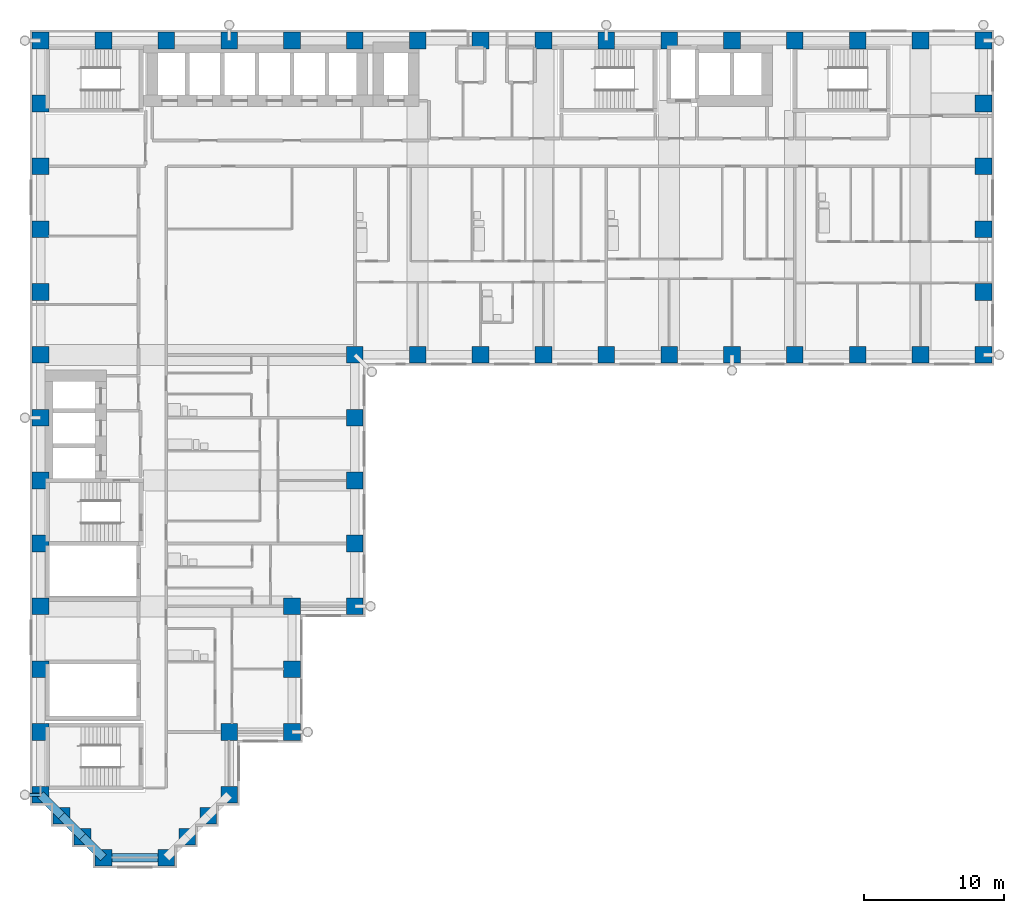
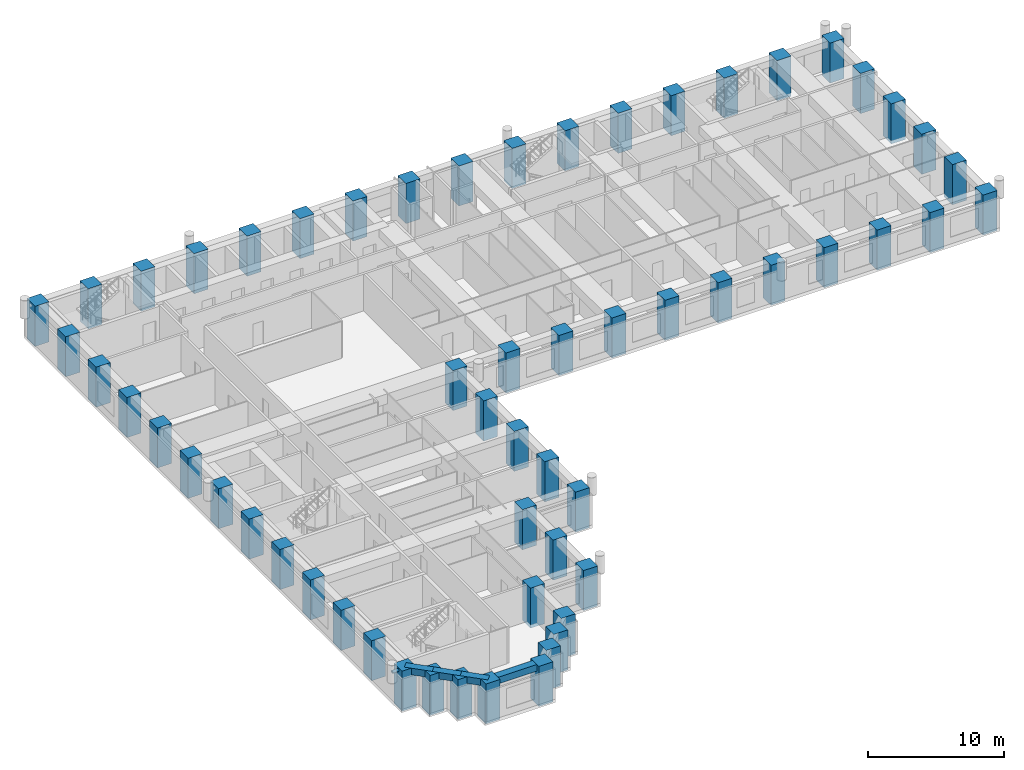
# One storey, part 1 of 14: 58 columns, 4 beams, 1 member.
"""IFC4 building model written with IfcOpenShell, lengths in metres."""

from ifc_helpers import new_model, si_unit, direction, frame, origin, origin_2d, place, context, subcontext, project, spatial, rectangle, hollow_circle, extrude, material, material_profile, profile_set, type_object, element, save


model = new_model("IFC4")

# Units and contexts
model_context = context("Model", 3, precision=1e-05, world=origin(), true_north=direction((0.0, 1.0)))
body_context = subcontext(model_context, "Body", "Model", "MODEL_VIEW")
ifc_project = project(units=[si_unit("LENGTHUNIT", "METRE"), si_unit("AREAUNIT", "SQUARE_METRE"), si_unit("VOLUMEUNIT", "CUBIC_METRE"), si_unit("PLANEANGLEUNIT", "RADIAN"), si_unit("MASSUNIT", "GRAM", prefix="KILO")], contexts=[model_context])

# Site, building, storey
site_placement = place(None, origin())
site = spatial("IfcSite", under=ifc_project, at=site_placement, CompositionType="ELEMENT")
building_placement = place(site_placement, origin())
building = spatial("IfcBuilding", under=site, at=building_placement, Name="Firuza Court", CompositionType="ELEMENT")
storey_placement = place(building_placement, frame((0.0, 0.0, 47.0)))
storey = spatial("IfcBuildingStorey", under=building, at=storey_placement, Name="L10", CompositionType="ELEMENT", Elevation=47.0)

# Columns
ifc_material_1 = material(Name="Concrete C70/85", Category="concrete")
ifc_material_profile_1 = material_profile(ifc_material_1, rectangle(XDim=1.199951171875, YDim=1.199951171875, at=origin_2d()), Name="RC 1200x1200")
ifc_profile_set_1 = profile_set([ifc_material_profile_1], Name="Concrete C70/85")
column_type = type_object("IfcColumnType", Name="Tube column RC 1200x1200 C70/85", PredefinedType="COLUMN", material=ifc_profile_set_1)
for number, where, z_axis, x_axis, name in (
    (1, (4.5, 0.0, -0.300048828125), (0.0, 0.0, 1.0), (1.0, 0.0, 0.0), "Column C-2D L10"),
    (2, (9.0, 0.0, -0.300048828125), (0.0, 0.0, 1.0), (1.0, 0.0, 0.0), "Column C-3D L10"),
    (3, (3.0, 1.5, -0.300048828125), (0.0, 0.0, 1.0), (1.0, 0.0, 0.0), "Column C-SA1 L10"),
    (4, (10.5, 1.5, -0.300048828125), (0.0, 0.0, 1.0), (1.0, 0.0, 0.0), "Column C-SA2 L10"),
    (5, (1.5, 3.0, -0.300048828125), (0.0, 0.0, 1.0), (1.0, 0.0, 0.0), "Column C-SA3 L10"),
    (6, (12.0, 3.0, -0.300048828125), (0.0, 0.0, 1.0), (1.0, 0.0, 0.0), "Column C-SA4 L10"),
    (7, (0.0, 4.5, -0.300048828125), (0.0, 0.0, 1.0), (1.0, 0.0, 0.0), "Column C-1E L10"),
    (8, (13.5, 4.5, -0.300048828125), (0.0, 0.0, 1.0), (1.0, 0.0, 0.0), "Column C-4E L10"),
    (9, (0.0, 9.0, -0.300048828125), (0.0, 0.0, 1.0), (1.0, 0.0, 0.0), "Column C-1F L10"),
    (10, (13.5, 9.0, -0.300048828125), (0.0, 0.0, 1.0), (1.0, 0.0, 0.0), "Column C-4F L10"),
    (11, (18.0, 9.0, -0.300048828125), (0.0, 0.0, 1.0), (1.0, 0.0, 0.0), "Column C-5F L10"),
    (12, (0.0, 13.5, -0.300048828125), (0.0, 0.0, 1.0), (1.0, 0.0, 0.0), "Column C-1G L10"),
    (13, (18.0, 13.5, -0.300048828125), (0.0, 0.0, 1.0), (1.0, 0.0, 0.0), "Column C-5G L10"),
    (14, (0.0, 18.0, -0.300048828125), (0.0, 0.0, 1.0), (1.0, 0.0, 0.0), "Column C-1H L10"),
    (15, (18.0, 18.0, -0.300048828125), (0.0, 0.0, 1.0), (1.0, 0.0, 0.0), "Column C-5H L10"),
    (16, (22.5, 18.0, -0.300048828125), (0.0, 0.0, 1.0), (1.0, 0.0, 0.0), "Column C-6H L10"),
    (17, (0.0, 22.5, -0.300048828125), (0.0, 0.0, 1.0), (1.0, 0.0, 0.0), "Column C-1J L10"),
    (18, (22.5, 22.5, -0.300048828125), (0.0, 0.0, 1.0), (1.0, 0.0, 0.0), "Column C-6J L10"),
    (19, (0.0, 27.0, -0.300048828125), (0.0, 0.0, 1.0), (1.0, 0.0, 0.0), "Column C-1K L10"),
    (20, (22.5, 27.0, -0.300048828125), (0.0, 0.0, 1.0), (1.0, 0.0, 0.0), "Column C-6K L10"),
    (21, (0.0, 31.5, -0.300048828125), (0.0, 0.0, 1.0), (1.0, 0.0, 0.0), "Column C-1L L10"),
    (22, (22.5, 31.5, -0.300048828125), (0.0, 0.0, 1.0), (1.0, 0.0, 0.0), "Column C-6L L10"),
    (23, (0.0, 36.0, -0.300048828125), (0.0, 0.0, 1.0), (1.0, 0.0, 0.0), "Column C-1M L10"),
    (24, (22.5, 36.0, -0.300048828125), (0.0, 0.0, 1.0), (1.0, 0.0, 0.0), "Column C-6M L10"),
    (25, (27.0, 36.0, -0.300048828125), (0.0, 0.0, 1.0), (1.0, 0.0, 0.0), "Column C-7M L10"),
    (26, (31.5, 36.0, -0.300048828125), (0.0, 0.0, 1.0), (1.0, 0.0, 0.0), "Column C-8M L10"),
    (27, (36.0, 36.0, -0.300048828125), (0.0, 0.0, 1.0), (1.0, 0.0, 0.0), "Column C-9M L10"),
    (28, (40.5, 36.0, -0.300048828125), (0.0, 0.0, 1.0), (1.0, 0.0, 0.0), "Column C-10M L10"),
    (29, (45.0, 36.0, -0.300048828125), (0.0, 0.0, 1.0), (1.0, 0.0, 0.0), "Column C-11M L10"),
    (30, (49.5, 36.0, -0.300048828125), (0.0, 0.0, 1.0), (1.0, 0.0, 0.0), "Column C-12M L10"),
    (31, (54.0, 36.0, -0.300048828125), (0.0, 0.0, 1.0), (1.0, 0.0, 0.0), "Column C-13M L10"),
    (32, (58.5, 36.0, -0.300048828125), (0.0, 0.0, 1.0), (1.0, 0.0, 0.0), "Column C-14M L10"),
    (33, (63.0, 36.0, -0.300048828125), (0.0, 0.0, 1.0), (1.0, 0.0, 0.0), "Column C-15M L10"),
    (34, (67.5, 36.0, -0.300048828125), (0.0, 0.0, 1.0), (1.0, 0.0, 0.0), "Column C-16M L10"),
    (35, (0.0, 40.5, -0.300048828125), (0.0, 0.0, 1.0), (1.0, 0.0, 0.0), "Column C-1N L10"),
    (36, (67.5, 40.5, -0.300048828125), (0.0, 0.0, 1.0), (1.0, 0.0, 0.0), "Column C-16N L10"),
    (37, (0.0, 45.0, -0.300048828125), (0.0, 0.0, 1.0), (1.0, 0.0, 0.0), "Column C-1P L10"),
    (38, (67.5, 45.0, -0.300048828125), (0.0, 0.0, 1.0), (1.0, 0.0, 0.0), "Column C-16P L10"),
    (39, (0.0, 49.5, -0.300048828125), (0.0, 0.0, 1.0), (1.0, 0.0, 0.0), "Column C-1Q L10"),
    (40, (67.5, 49.5, -0.300048828125), (0.0, 0.0, 1.0), (1.0, 0.0, 0.0), "Column C-16Q L10"),
    (41, (0.0, 54.0, -0.300048828125), (0.0, 0.0, 1.0), (1.0, 0.0, 0.0), "Column C-1R L10"),
    (42, (67.5, 54.0, -0.300048828125), (0.0, 0.0, 1.0), (1.0, 0.0, 0.0), "Column C-16R L10"),
    (43, (0.0, 58.5, -0.300048828125), (0.0, 0.0, 1.0), (1.0, 0.0, 0.0), "Column C-1S L10"),
    (44, (4.5, 58.5, -0.300048828125), (0.0, 0.0, 1.0), (1.0, 0.0, 0.0), "Column C-2S L10"),
    (45, (9.0, 58.5, -0.300048828125), (0.0, 0.0, 1.0), (1.0, 0.0, 0.0), "Column C-3S L10"),
    (46, (13.5, 58.5, -0.300048828125), (0.0, 0.0, 1.0), (1.0, 0.0, 0.0), "Column C-4S L10"),
    (47, (18.0, 58.5, -0.300048828125), (0.0, 0.0, 1.0), (1.0, 0.0, 0.0), "Column C-5S L10"),
    (48, (22.5, 58.5, -0.300048828125), (0.0, 0.0, 1.0), (1.0, 0.0, 0.0), "Column C-6S L10"),
    (49, (27.0, 58.5, -0.300048828125), (0.0, 0.0, 1.0), (1.0, 0.0, 0.0), "Column C-7S L10"),
    (50, (31.5, 58.5, -0.300048828125), (0.0, 0.0, 1.0), (1.0, 0.0, 0.0), "Column C-8S L10"),
    (51, (36.0, 58.5, -0.300048828125), (0.0, 0.0, 1.0), (1.0, 0.0, 0.0), "Column C-9S L10"),
    (52, (40.5, 58.5, -0.300048828125), (0.0, 0.0, 1.0), (1.0, 0.0, 0.0), "Column C-10S L10"),
    (53, (45.0, 58.5, -0.300048828125), (0.0, 0.0, 1.0), (1.0, 0.0, 0.0), "Column C-11S L10"),
    (54, (49.5, 58.5, -0.300048828125), (0.0, 0.0, 1.0), (1.0, 0.0, 0.0), "Column C-12S L10"),
    (55, (54.0, 58.5, -0.300048828125), (0.0, 0.0, 1.0), (1.0, 0.0, 0.0), "Column C-13S L10"),
    (56, (58.5, 58.5, -0.300048828125), (0.0, 0.0, 1.0), (1.0, 0.0, 0.0), "Column C-14S L10"),
    (57, (63.0, 58.5, -0.300048828125), (0.0, 0.0, 1.0), (1.0, 0.0, 0.0), "Column C-15S L10"),
    (58, (67.5, 58.5, -0.300048828125), (0.0, 0.0, 1.0), (1.0, 0.0, 0.0), "Column C-16S L10"),
):
    element("IfcColumn", number, at=place(storey_placement, frame(where, z_axis=z_axis, x_axis=x_axis)), inside=storey, type_object=column_type, Name=name, PredefinedType="COLUMN", context=body_context, shape_type="SweptSolid", body=[
        extrude(rectangle(XDim=1.199951171875, YDim=1.199951171875, at=origin_2d()), origin(), (0.0, 0.0, 1.0), 3.60009765625),
    ])

# Member
ifc_material_2 = material(Name="Steel S355", Category="steel")
ifc_material_profile_2 = material_profile(ifc_material_2, hollow_circle(Radius=0.136474609375, WallThickness=0.012451171875, at=origin_2d()), Name="CHS 273x12.5")
ifc_profile_set_2 = profile_set([ifc_material_profile_2], Name="Steel S355")
member_type = type_object("IfcMemberType", Name="Diagrid tie CHS 273x12.5 S355", PredefinedType="STRUT", material=ifc_profile_set_2)
member_placement = place(storey_placement, frame((0.0, 4.5, 3.050048828125), z_axis=(-1.0, 0.0, 0.0), x_axis=(0.0, -1.0, 0.0)))
element("IfcMember", 59, at=member_placement, inside=storey, type_object=member_type, Name="Diagrid tie level L11", PredefinedType="STRUT", context=body_context, shape_type="SweptSolid", body=[
    extrude(hollow_circle(Radius=0.136474609375, WallThickness=0.012451171875, at=origin_2d()), origin(), (0.0, 0.0, 1.0), 1.1201171875),
])

# Beams
ifc_material_3 = material(Name="Concrete C40/50", Category="concrete")
ifc_material_profile_3 = material_profile(ifc_material_3, rectangle(XDim=0.60009765625, YDim=0.60009765625, at=origin_2d()), Name="RC 600x600")
ifc_profile_set_3 = profile_set([ifc_material_profile_3], Name="Concrete C40/50")
beam_type = type_object("IfcBeamType", Name="Spandrel beam RC 600x600 C40/50", PredefinedType="BEAM", material=ifc_profile_set_3)
for number, where, z_axis, x_axis, name in (
    (60, (0.0, 4.5, 3.0), (0.707106781187, -0.707106781187, 0.0), (0.707106781187, 0.707106781187, 0.0), "Spandrel beam SP11 level L11"),
    (61, (1.5, 3.0, 3.0), (0.707106781187, -0.707106781187, 0.0), (0.707106781187, 0.707106781187, 0.0), "Spandrel beam SP11 level L11"),
    (62, (3.0, 1.5, 3.0), (0.707106781187, -0.707106781187, 0.0), (0.707106781187, 0.707106781187, 0.0), "Spandrel beam SP11 level L11"),
):
    element("IfcBeam", number, at=place(storey_placement, frame(where, z_axis=z_axis, x_axis=x_axis)), inside=storey, type_object=beam_type, Name=name, PredefinedType="BEAM", context=body_context, shape_type="SweptSolid", body=[
        extrude(rectangle(XDim=0.60009765625, YDim=0.60009765625, at=origin_2d()), origin(), (0.0, 0.0, 1.0), 2.121337890625),
    ])
beam_placement = place(storey_placement, frame((4.5, 0.0, 3.0), z_axis=(1.0, 0.0, 0.0), x_axis=(0.0, 1.0, 0.0)))
element("IfcBeam", 63, at=beam_placement, inside=storey, type_object=beam_type, Name="Spandrel beam SP11 level L11", PredefinedType="BEAM", context=body_context, shape_type="SweptSolid", body=[
    extrude(rectangle(XDim=0.60009765625, YDim=0.60009765625, at=origin_2d()), origin(), (0.0, 0.0, 1.0), 4.5),
])

save(model, "model.ifc")
